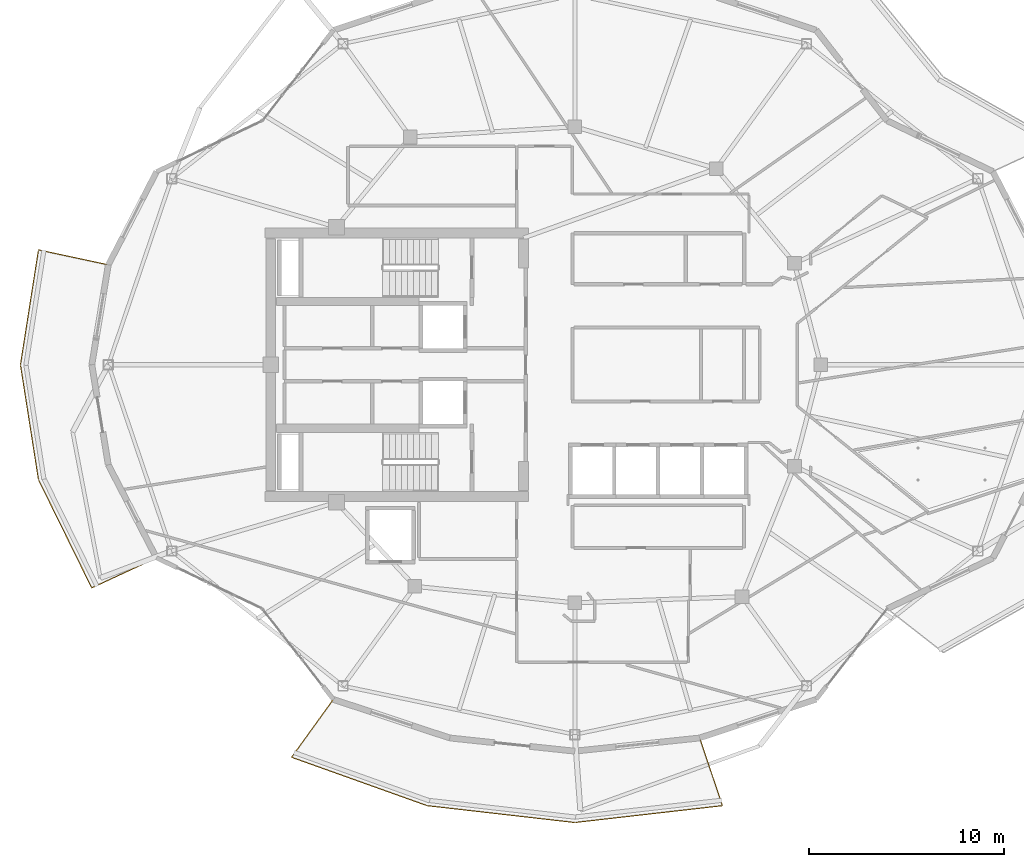
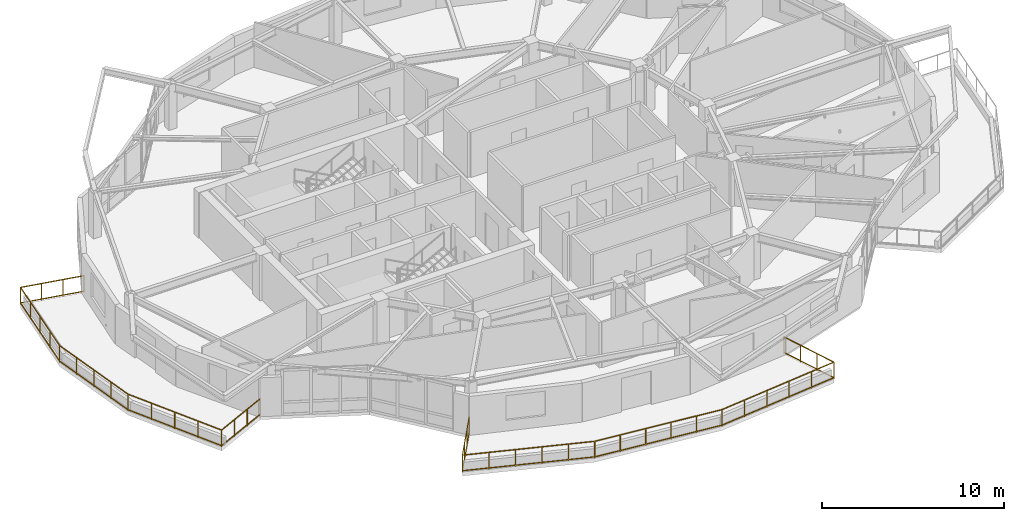
# One storey, part 14 of 16: 2 railings.
"""IFC4 building model written with IfcOpenShell, lengths in metres."""

import ifcopenshell
import ifcopenshell.guid

model = None  # the IFC model being written
_history = None  # IfcOwnerHistory: only IFC2X3 demands one
_inside = {}  # id of a spatial element -> (the spatial element, [elements in it])
_under = {}  # id of a project, library or spatial element -> (it, [spatial elements below it])
_declared = {}  # id of a project -> (the project, [libraries it declares])
_typed = {}  # id of a type object -> (the type object, [elements of that type])
_made_of = {}  # id of a material, layer set ... -> (it, [elements and type objects made of it])


def new_model(schema):
    """Start an empty IFC model of exactly this schema.

    Asked for "IFC4X3", IfcOpenShell would pick the latest addendum, in which some entities
    have other attributes; the version numbers below select the first issue.
    IFC2X3 requires an IfcOwnerHistory on every rooted entity: one is made here for all.
    """
    global model, _history
    if schema == "IFC4X3":
        model = ifcopenshell.file(schema_version=(4, 3, 0, 0))
    else:
        model = ifcopenshell.file(schema=schema)
    _inside.clear()
    _under.clear()
    _declared.clear()
    _typed.clear()
    _made_of.clear()
    _history = None
    if model.schema == "IFC2X3":
        org = make("IfcOrganization", Name="unknown")
        user = make(
            "IfcPersonAndOrganization",
            ThePerson=make("IfcPerson", FamilyName="unknown"),
            TheOrganization=org,
        )
        app = make(
            "IfcApplication",
            ApplicationDeveloper=org,
            Version="unknown",
            ApplicationFullName="unknown",
            ApplicationIdentifier="unknown",
        )
        _history = make(
            "IfcOwnerHistory",
            OwningUser=user,
            OwningApplication=app,
            ChangeAction="ADDED",
            CreationDate=0,
        )
    return model


def make(cls, **values):
    """One entity of the class cls with the attributes given. An attribute that is None is left unset."""
    return model.create_entity(
        cls, **{name: value for name, value in values.items() if value is not None}
    )


def rooted(cls, **values):
    """An entity with a GlobalId (a new one), such as an element, a storey or a relation."""
    return make(cls, GlobalId=ifcopenshell.guid.new(), OwnerHistory=_history, **values)


def si_unit(unit_type, name, prefix=None):
    """IfcSIUnit, for example si_unit("LENGTHUNIT", "METRE", prefix="MILLI")."""
    return make("IfcSIUnit", UnitType=unit_type, Prefix=prefix, Name=name)


def assignment(units):
    """IfcUnitAssignment: the units of a project."""
    return None if units is None else make("IfcUnitAssignment", Units=units)


def point(xyz):
    """IfcCartesianPoint."""
    return None if xyz is None else make("IfcCartesianPoint", Coordinates=xyz)


def direction(xyz):
    """IfcDirection."""
    return None if xyz is None else make("IfcDirection", DirectionRatios=xyz)


def frame(location, z_axis=None, x_axis=None):
    """IfcAxis2Placement3D, a coordinate frame: its origin and axes. An axis left out is left unset."""
    return make(
        "IfcAxis2Placement3D",
        Location=point(location),
        Axis=direction(z_axis),
        RefDirection=direction(x_axis),
    )


def frame_2d(location, x_axis=None):
    """IfcAxis2Placement2D, a coordinate frame in the plane: its origin and x axis."""
    return make(
        "IfcAxis2Placement2D", Location=point(location), RefDirection=direction(x_axis)
    )


def origin():
    """The frame at (0, 0, 0) with its axes left unset."""
    return frame((0.0, 0.0, 0.0))


def origin_2d():
    """The frame at (0, 0) in the plane with its x axis left unset."""
    return frame_2d((0.0, 0.0))


def place(relative_to, where):
    """IfcLocalPlacement: puts the frame where relative to a parent placement (None: the world)."""
    return make(
        "IfcLocalPlacement", PlacementRelTo=relative_to, RelativePlacement=where
    )


def context(
    kind, dimensions, precision=None, world=None, true_north=None, identifier=None
):
    """IfcGeometricRepresentationContext, for example the 3D "Model" context."""
    return make(
        "IfcGeometricRepresentationContext",
        ContextIdentifier=identifier,
        ContextType=kind,
        CoordinateSpaceDimension=dimensions,
        Precision=precision,
        WorldCoordinateSystem=world,
        TrueNorth=true_north,
    )


def subcontext(parent, identifier, kind, view, scale=None):
    """IfcGeometricRepresentationSubContext, for example "Body" below "Model"."""
    return make(
        "IfcGeometricRepresentationSubContext",
        ContextIdentifier=identifier,
        ContextType=kind,
        ParentContext=parent,
        TargetScale=scale,
        TargetView=view,
    )


def project(units=None, contexts=None):
    """IfcProject with its units and contexts."""
    return rooted(
        "IfcProject",
        Name="project",
        RepresentationContexts=contexts,
        UnitsInContext=assignment(units),
    )


def spatial(cls, under=None, at=None, **own):
    """A site, building, storey or space (cls), placed at a placement, below another one or the project."""
    s = rooted(cls, ObjectPlacement=at, **own)
    if under is not None:
        _under.setdefault(under.id(), (under, []))[1].append(s)
    return s


def profile(cls, at=None, kind="AREA", **sizes):
    """A parametric profile (cls). Its sizes go by their IFC names, for example OverallWidth=200.0."""
    return make(cls, ProfileType=kind, Position=at, **sizes)


def rectangle(**sizes):
    """IfcRectangleProfileDef."""
    return profile("IfcRectangleProfileDef", **sizes)


def extrude(swept, where, along, depth):
    """IfcExtrudedAreaSolid: the profile swept, set in the frame where, extruded along a direction by depth."""
    return make(
        "IfcExtrudedAreaSolid",
        SweptArea=swept,
        Position=where,
        ExtrudedDirection=direction(along),
        Depth=depth,
    )


def shape(context_of_items, identifier, shape_type, items):
    """IfcShapeRepresentation: the items that make up one representation, for example the "Body"."""
    return make(
        "IfcShapeRepresentation",
        ContextOfItems=context_of_items,
        RepresentationIdentifier=identifier,
        RepresentationType=shape_type,
        Items=items,
    )


def material(Name=None, Category=None):
    """IfcMaterial."""
    return make("IfcMaterial", Name=Name, Category=Category)


def made_of(thing, what):
    """Note that an element or type object is made of a material, layer set ...; save() writes the relation."""
    if what is not None:
        _made_of.setdefault(what.id(), (what, []))[1].append(thing)
    return thing


def type_object(cls, material=None, **own):
    """A type object (cls), such as IfcWallType, which elements share."""
    return made_of(rooted(cls, **own), material)


def element(
    cls,
    number,
    at=None,
    inside=None,
    cuts=None,
    type_object=None,
    material=None,
    context=None,
    identifier="Body",
    shape_type=None,
    held_by="IfcProductDefinitionShape",
    body=None,
    shapes=None,
    **own,
):
    """One element of the class cls, such as IfcWall. Its Tag is "e" and its number.

    at: its placement. inside: the storey or other place that contains it. cuts: it is an
    opening in that element (IfcRelVoidsElement). A single representation is given by context,
    identifier, shape_type and body (its items); several are given by shapes. held_by: the class
    of the entity that holds the representations. save() writes the other relations.
    """
    e = rooted(cls, Tag="e%d" % number, ObjectPlacement=at, **own)
    if body is not None:
        shapes = [shape(context, identifier, shape_type, body)]
    if shapes is not None:
        e.Representation = make(held_by, Representations=shapes)
    if inside is not None:
        _inside.setdefault(inside.id(), (inside, []))[1].append(e)
    if cuts is not None:
        rooted(
            "IfcRelVoidsElement", RelatingBuildingElement=cuts, RelatedOpeningElement=e
        )
    if type_object is not None:
        _typed.setdefault(type_object.id(), (type_object, []))[1].append(e)
    return made_of(e, material)


def aggregate(whole, parts):
    """IfcRelAggregates: a whole, such as a stair, and the parts it consists of."""
    return rooted("IfcRelAggregates", RelatingObject=whole, RelatedObjects=parts)


def save(model, path):
    """Write the relations noted so far, then the file.

    IfcRelAggregates (storeys below a building ...), IfcRelContainedInSpatialStructure (elements
    in a storey), IfcRelDefinesByType, IfcRelAssociatesMaterial and IfcRelDeclares: one each for
    every whole, place, type object, material and project.
    """
    for whole, parts in _under.values():
        aggregate(whole, parts)
    for where, things in _inside.values():
        rooted(
            "IfcRelContainedInSpatialStructure",
            RelatedElements=things,
            RelatingStructure=where,
        )
    for kind, things in _typed.values():
        rooted("IfcRelDefinesByType", RelatedObjects=things, RelatingType=kind)
    for what, things in _made_of.values():
        rooted("IfcRelAssociatesMaterial", RelatedObjects=things, RelatingMaterial=what)
    for by, libraries in _declared.values():
        rooted("IfcRelDeclares", RelatingContext=by, RelatedDefinitions=libraries)
    model.write(path)


model = new_model("IFC4")

# Units and contexts
model_context = context("Model", 3, precision=1e-05, world=origin(), true_north=direction((0.0, 1.0)))
body_context = subcontext(model_context, "Body", "Model", "MODEL_VIEW")
ifc_project = project(units=[si_unit("LENGTHUNIT", "METRE"), si_unit("AREAUNIT", "SQUARE_METRE"), si_unit("VOLUMEUNIT", "CUBIC_METRE"), si_unit("PLANEANGLEUNIT", "RADIAN"), si_unit("MASSUNIT", "GRAM", prefix="KILO")], contexts=[model_context])

# Site, building, storey
site_placement = place(None, origin())
site = spatial("IfcSite", under=ifc_project, at=site_placement, CompositionType="ELEMENT")
building_placement = place(site_placement, origin())
building = spatial("IfcBuilding", under=site, at=building_placement, Name="Kolvaren Gate Tower and Convention Centre", CompositionType="ELEMENT")
storey_placement = place(building_placement, frame((0.0, 0.0, 219.5)))
storey = spatial("IfcBuildingStorey", under=building, at=storey_placement, Name="L58", CompositionType="ELEMENT", Elevation=219.5)

# Railings
ifc_material = material(Name="Brushed Stainless Steel Grade 316L", Category="steel")
railing_type = type_object("IfcRailingType", Name="ARCH-RL-GUARD-1150", PredefinedType="GUARDRAIL", material=ifc_material)
railing_1_placement = place(storey_placement, frame((6.21826171875, 32.12451171875, 0.0)))
element("IfcRailing", 1, at=railing_1_placement, inside=storey, type_object=railing_type, Name="Tower L58 Terrace Perimeter Guardrail GR-2", PredefinedType="GUARDRAIL", context=body_context, shape_type="SweptSolid", body=[
    extrude(rectangle(XDim=0.048095703125, YDim=0.048095703125, at=origin_2d()), frame((-0.02734375, 0.005859375, 1.1259765625), z_axis=(-0.977788745232, 0.209592866525, 0.0), x_axis=(-0.209592866525, -0.977788745232, 0.0)), (0.0, 0.0, 1.0), 3.603759765625),
    extrude(rectangle(XDim=0.048095703125, YDim=0.048095703125, at=origin_2d()), frame((-0.02734375, 0.005859375, 0.083984375), z_axis=(-0.977788745232, 0.209592866525, 0.0), x_axis=(-0.209592866525, -0.977788745232, 0.0)), (0.0, 0.0, 1.0), 3.603759765625),
    extrude(rectangle(XDim=0.048095703125, YDim=0.048095703125, at=origin_2d()), frame((-3.5830078125, 0.739501953125, 1.1259765625), z_axis=(-0.155031225865, -0.987909570258, 0.0), x_axis=(0.987909570258, -0.155031225865, 0.0)), (0.0, 0.0, 1.0), 5.90771484375),
    extrude(rectangle(XDim=0.048095703125, YDim=0.048095703125, at=origin_2d()), frame((-3.5830078125, 0.739501953125, 0.083984375), z_axis=(-0.155031225865, -0.987909570258, 0.0), x_axis=(0.987909570258, -0.155031225865, 0.0)), (0.0, 0.0, 1.0), 5.90771484375),
    extrude(rectangle(XDim=0.048095703125, YDim=0.048095703125, at=origin_2d()), frame((-4.498779296875, -5.152099609375, 1.1259765625), z_axis=(0.155031225865, -0.987909570258, 0.0), x_axis=(0.987909570258, 0.155031225865, 0.0)), (0.0, 0.0, 1.0), 5.90771484375),
    extrude(rectangle(XDim=0.048095703125, YDim=0.048095703125, at=origin_2d()), frame((-4.498779296875, -5.152099609375, 0.083984375), z_axis=(0.155031225865, -0.987909570258, 0.0), x_axis=(0.987909570258, 0.155031225865, 0.0)), (0.0, 0.0, 1.0), 5.90771484375),
    extrude(rectangle(XDim=0.048095703125, YDim=0.048095703125, at=origin_2d()), frame((-3.566162109375, -11.041259765625, 1.1259765625), z_axis=(0.441625304244, -0.897199582396, 0.0), x_axis=(0.897199582396, 0.441625304244, 0.0)), (0.0, 0.0, 1.0), 6.122314453125),
    extrude(rectangle(XDim=0.048095703125, YDim=0.048095703125, at=origin_2d()), frame((-3.566162109375, -11.041259765625, 0.083984375), z_axis=(0.441625304244, -0.897199582396, 0.0), x_axis=(0.897199582396, 0.441625304244, 0.0)), (0.0, 0.0, 1.0), 6.122314453125),
    extrude(rectangle(XDim=0.048095703125, YDim=0.048095703125, at=origin_2d()), frame((-0.82470703125, -16.547607421875, 1.1259765625), z_axis=(0.907820723829, 0.419358478377, 0.0), x_axis=(-0.419358478377, 0.907820723829, 0.0)), (0.0, 0.0, 1.0), 3.60400390625),
    extrude(rectangle(XDim=0.048095703125, YDim=0.048095703125, at=origin_2d()), frame((-0.82470703125, -16.547607421875, 0.083984375), z_axis=(0.907820723829, 0.419358478377, 0.0), x_axis=(-0.419358478377, 0.907820723829, 0.0)), (0.0, 0.0, 1.0), 3.60400390625),
    extrude(rectangle(XDim=0.0419921875, YDim=0.0419921875, at=origin_2d()), origin(), (0.0, 0.0, 1.0), 1.14990234375),
    extrude(rectangle(XDim=0.0419921875, YDim=0.0419921875, at=origin_2d()), frame((-3.57861328125, 0.76708984375, 0.0)), (0.0, 0.0, 1.0), 1.14990234375),
    extrude(rectangle(XDim=0.0419921875, YDim=0.0419921875, at=origin_2d()), frame((-1.19287109375, 0.255615234375, 0.0)), (0.0, 0.0, 1.0), 1.099853515625),
    extrude(rectangle(XDim=0.0419921875, YDim=0.0419921875, at=origin_2d()), frame((-2.3857421875, 0.511474609375, 0.0)), (0.0, 0.0, 1.0), 1.099853515625),
    extrude(rectangle(XDim=0.0419921875, YDim=0.0419921875, at=origin_2d()), frame((-4.503173828125, -5.12451171875, 0.0)), (0.0, 0.0, 1.0), 1.14990234375),
    extrude(rectangle(XDim=0.0419921875, YDim=0.0419921875, at=origin_2d()), frame((-3.809814453125, -0.705810546875, 0.0)), (0.0, 0.0, 1.0), 1.099853515625),
    extrude(rectangle(XDim=0.0419921875, YDim=0.0419921875, at=origin_2d()), frame((-4.041015625, -2.1787109375, 0.0)), (0.0, 0.0, 1.0), 1.099853515625),
    extrude(rectangle(XDim=0.0419921875, YDim=0.0419921875, at=origin_2d()), frame((-4.27197265625, -3.651611328125, 0.0)), (0.0, 0.0, 1.0), 1.099853515625),
    extrude(rectangle(XDim=0.0419921875, YDim=0.0419921875, at=origin_2d()), frame((-3.57861328125, -11.01611328125, 0.0)), (0.0, 0.0, 1.0), 1.14990234375),
    extrude(rectangle(XDim=0.0419921875, YDim=0.0419921875, at=origin_2d()), frame((-4.27197265625, -6.597412109375, 0.0)), (0.0, 0.0, 1.0), 1.099853515625),
    extrude(rectangle(XDim=0.0419921875, YDim=0.0419921875, at=origin_2d()), frame((-4.041015625, -8.0703125, 0.0)), (0.0, 0.0, 1.0), 1.099853515625),
    extrude(rectangle(XDim=0.0419921875, YDim=0.0419921875, at=origin_2d()), frame((-3.809814453125, -9.543212890625, 0.0)), (0.0, 0.0, 1.0), 1.099853515625),
    extrude(rectangle(XDim=0.0419921875, YDim=0.0419921875, at=origin_2d()), frame((-0.85009765625, -16.559326171875, 0.0)), (0.0, 0.0, 1.0), 1.14990234375),
    extrude(rectangle(XDim=0.0419921875, YDim=0.0419921875, at=origin_2d()), frame((-2.896484375, -12.40185546875, 0.0)), (0.0, 0.0, 1.0), 1.099853515625),
    extrude(rectangle(XDim=0.0419921875, YDim=0.0419921875, at=origin_2d()), frame((-2.21435546875, -13.78759765625, 0.0)), (0.0, 0.0, 1.0), 1.099853515625),
    extrude(rectangle(XDim=0.0419921875, YDim=0.0419921875, at=origin_2d()), frame((-1.5322265625, -15.173583984375, 0.0)), (0.0, 0.0, 1.0), 1.099853515625),
    extrude(rectangle(XDim=0.0419921875, YDim=0.0419921875, at=origin_2d()), frame((2.47265625, -15.0244140625, 0.0)), (0.0, 0.0, 1.0), 1.14990234375),
    extrude(rectangle(XDim=0.0419921875, YDim=0.0419921875, at=origin_2d()), frame((0.257568359375, -16.047607421875, 0.0)), (0.0, 0.0, 1.0), 1.099853515625),
    extrude(rectangle(XDim=0.0419921875, YDim=0.0419921875, at=origin_2d()), frame((1.364990234375, -15.5361328125, 0.0)), (0.0, 0.0, 1.0), 1.099853515625),
])
railing_2_placement = place(storey_placement, frame((17.75, 9.852783203125, 0.0)))
element("IfcRailing", 2, at=railing_2_placement, inside=storey, type_object=railing_type, Name="Tower L58 Terrace Perimeter Guardrail GR-3", PredefinedType="GUARDRAIL", context=body_context, shape_type="SweptSolid", body=[
    extrude(rectangle(XDim=0.048095703125, YDim=0.048095703125, at=origin_2d()), frame((-0.016357421875, -0.022705078125, 1.1259765625), z_axis=(-0.585212870465, -0.810879705161, 0.0), x_axis=(0.810879705161, -0.585212870465, 0.0)), (0.0, 0.0, 1.0), 3.603759765625),
    extrude(rectangle(XDim=0.048095703125, YDim=0.048095703125, at=origin_2d()), frame((-0.016357421875, -0.022705078125, 0.083984375), z_axis=(-0.585212870465, -0.810879705161, 0.0), x_axis=(0.810879705161, -0.585212870465, 0.0)), (0.0, 0.0, 1.0), 3.603759765625),
    extrude(rectangle(XDim=0.048095703125, YDim=0.048095703125, at=origin_2d()), frame((-2.115478515625, -2.977294921875, 1.1259765625), z_axis=(0.941783827204, -0.336219010197, 0.0), x_axis=(0.336219010197, 0.941783827204, 0.0)), (0.0, 0.0, 1.0), 7.322265625),
    extrude(rectangle(XDim=0.048095703125, YDim=0.048095703125, at=origin_2d()), frame((-2.115478515625, -2.977294921875, 0.083984375), z_axis=(0.941783827204, -0.336219010197, 0.0), x_axis=(0.336219010197, 0.941783827204, 0.0)), (0.0, 0.0, 1.0), 7.322265625),
    extrude(rectangle(XDim=0.048095703125, YDim=0.048095703125, at=origin_2d()), frame((4.834716796875, -5.45166015625, 1.1259765625), z_axis=(0.993542586276, -0.113459813395, 0.0), x_axis=(0.113459813395, 0.993542586276, 0.0)), (0.0, 0.0, 1.0), 7.561279296875),
    extrude(rectangle(XDim=0.048095703125, YDim=0.048095703125, at=origin_2d()), frame((4.834716796875, -5.45166015625, 0.083984375), z_axis=(0.993542586276, -0.113459813395, 0.0), x_axis=(0.113459813395, 0.993542586276, 0.0)), (0.0, 0.0, 1.0), 7.561279296875),
    extrude(rectangle(XDim=0.048095703125, YDim=0.048095703125, at=origin_2d()), frame((12.40283203125, -6.3095703125, 1.1259765625), z_axis=(0.993542586276, 0.113459813395, 0.0), x_axis=(-0.113459813395, 0.993542586276, 0.0)), (0.0, 0.0, 1.0), 7.561279296875),
    extrude(rectangle(XDim=0.048095703125, YDim=0.048095703125, at=origin_2d()), frame((12.40283203125, -6.3095703125, 0.083984375), z_axis=(0.993542586276, 0.113459813395, 0.0), x_axis=(-0.113459813395, 0.993542586276, 0.0)), (0.0, 0.0, 1.0), 7.561279296875),
    extrude(rectangle(XDim=0.048095703125, YDim=0.048095703125, at=origin_2d()), frame((19.934326171875, -5.421875, 1.1259765625), z_axis=(-0.317588247294, 0.948228719867, 0.0), x_axis=(-0.948228719867, -0.317588247294, 0.0)), (0.0, 0.0, 1.0), 3.603759765625),
    extrude(rectangle(XDim=0.048095703125, YDim=0.048095703125, at=origin_2d()), frame((19.934326171875, -5.421875, 0.083984375), z_axis=(-0.317588247294, 0.948228719867, 0.0), x_axis=(-0.948228719867, -0.317588247294, 0.0)), (0.0, 0.0, 1.0), 3.603759765625),
    extrude(rectangle(XDim=0.0419921875, YDim=0.0419921875, at=origin_2d()), origin(), (0.0, 0.0, 1.0), 1.14990234375),
    extrude(rectangle(XDim=0.0419921875, YDim=0.0419921875, at=origin_2d()), frame((-2.141845703125, -2.9677734375, 0.0)), (0.0, 0.0, 1.0), 1.14990234375),
    extrude(rectangle(XDim=0.0419921875, YDim=0.0419921875, at=origin_2d()), frame((-0.7138671875, -0.9892578125, 0.0)), (0.0, 0.0, 1.0), 1.099853515625),
    extrude(rectangle(XDim=0.0419921875, YDim=0.0419921875, at=origin_2d()), frame((-1.427978515625, -1.978515625, 0.0)), (0.0, 0.0, 1.0), 1.099853515625),
    extrude(rectangle(XDim=0.0419921875, YDim=0.0419921875, at=origin_2d()), frame((4.806884765625, -5.448486328125, 0.0)), (0.0, 0.0, 1.0), 1.14990234375),
    extrude(rectangle(XDim=0.0419921875, YDim=0.0419921875, at=origin_2d()), frame((-0.752197265625, -3.4638671875, 0.0)), (0.0, 0.0, 1.0), 1.099853515625),
    extrude(rectangle(XDim=0.0419921875, YDim=0.0419921875, at=origin_2d()), frame((0.6376953125, -3.9599609375, 0.0)), (0.0, 0.0, 1.0), 1.099853515625),
    extrude(rectangle(XDim=0.0419921875, YDim=0.0419921875, at=origin_2d()), frame((2.02734375, -4.456298828125, 0.0)), (0.0, 0.0, 1.0), 1.099853515625),
    extrude(rectangle(XDim=0.0419921875, YDim=0.0419921875, at=origin_2d()), frame((3.417236328125, -4.952392578125, 0.0)), (0.0, 0.0, 1.0), 1.099853515625),
    extrude(rectangle(XDim=0.0419921875, YDim=0.0419921875, at=origin_2d()), frame((12.375, -6.312744140625, 0.0)), (0.0, 0.0, 1.0), 1.14990234375),
    extrude(rectangle(XDim=0.0419921875, YDim=0.0419921875, at=origin_2d()), frame((6.320556640625, -5.621337890625, 0.0)), (0.0, 0.0, 1.0), 1.099853515625),
    extrude(rectangle(XDim=0.0419921875, YDim=0.0419921875, at=origin_2d()), frame((7.834228515625, -5.794189453125, 0.0)), (0.0, 0.0, 1.0), 1.099853515625),
    extrude(rectangle(XDim=0.0419921875, YDim=0.0419921875, at=origin_2d()), frame((9.34765625, -5.967041015625, 0.0)), (0.0, 0.0, 1.0), 1.099853515625),
    extrude(rectangle(XDim=0.0419921875, YDim=0.0419921875, at=origin_2d()), frame((10.861328125, -6.139892578125, 0.0)), (0.0, 0.0, 1.0), 1.099853515625),
    extrude(rectangle(XDim=0.0419921875, YDim=0.0419921875, at=origin_2d()), frame((19.943115234375, -5.448486328125, 0.0)), (0.0, 0.0, 1.0), 1.14990234375),
    extrude(rectangle(XDim=0.0419921875, YDim=0.0419921875, at=origin_2d()), frame((13.888671875, -6.139892578125, 0.0)), (0.0, 0.0, 1.0), 1.099853515625),
    extrude(rectangle(XDim=0.0419921875, YDim=0.0419921875, at=origin_2d()), frame((15.40234375, -5.967041015625, 0.0)), (0.0, 0.0, 1.0), 1.099853515625),
    extrude(rectangle(XDim=0.0419921875, YDim=0.0419921875, at=origin_2d()), frame((16.915771484375, -5.794189453125, 0.0)), (0.0, 0.0, 1.0), 1.099853515625),
    extrude(rectangle(XDim=0.0419921875, YDim=0.0419921875, at=origin_2d()), frame((18.429443359375, -5.621337890625, 0.0)), (0.0, 0.0, 1.0), 1.099853515625),
    extrude(rectangle(XDim=0.0419921875, YDim=0.0419921875, at=origin_2d()), frame((18.78076171875, -1.97802734375, 0.0)), (0.0, 0.0, 1.0), 1.14990234375),
    extrude(rectangle(XDim=0.0419921875, YDim=0.0419921875, at=origin_2d()), frame((19.5556640625, -4.291748046875, 0.0)), (0.0, 0.0, 1.0), 1.099853515625),
    extrude(rectangle(XDim=0.0419921875, YDim=0.0419921875, at=origin_2d()), frame((19.168212890625, -3.134765625, 0.0)), (0.0, 0.0, 1.0), 1.099853515625),
])

save(model, "model.ifc")
